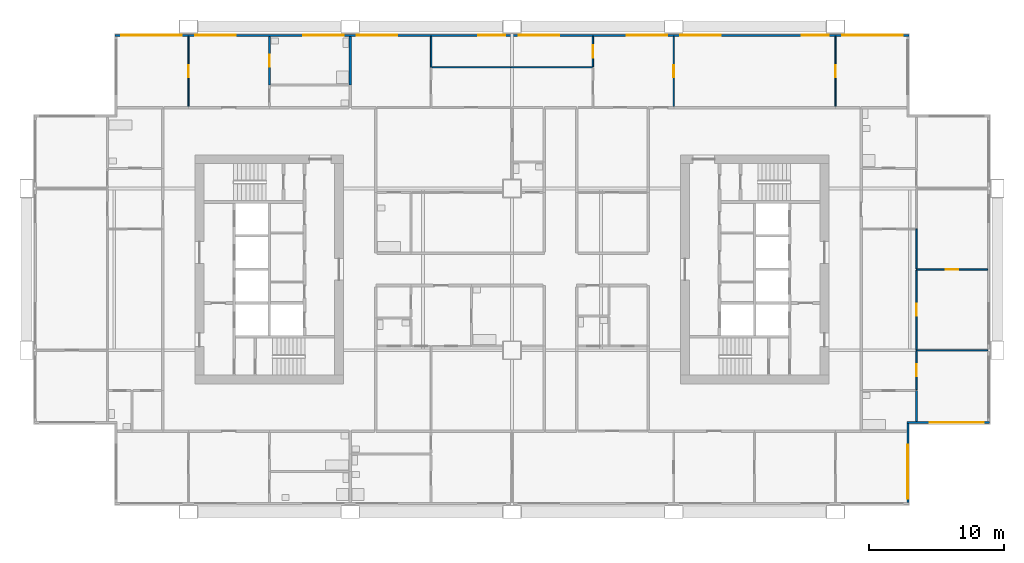
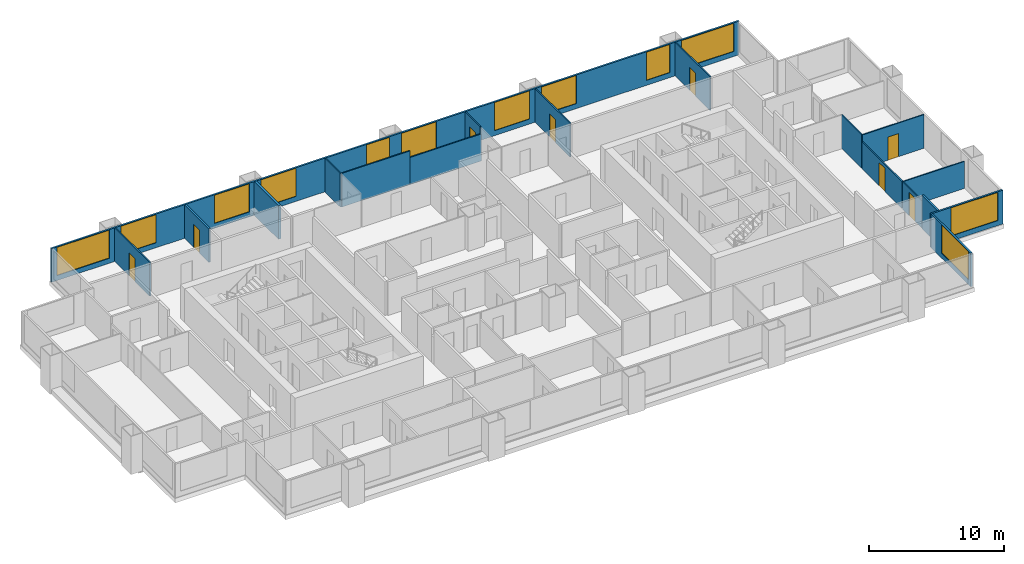
# One storey, part 8 of 11: 18 walls, 12 windows, 8 doors, 20 openings.
"""IFC4 building model written with IfcOpenShell, lengths in metres."""

from ifc_helpers import new_model, si_unit, direction, frame, frame_2d, origin, place, context, subcontext, project, spatial, rectangle, extrude, material, layer, layer_set, type_object, element, fill, save


model = new_model("IFC4")

# Units and contexts
model_context = context("Model", 3, precision=1e-05, world=origin(), true_north=direction((0.0, 1.0)))
body_context = subcontext(model_context, "Body", "Model", "MODEL_VIEW")
ifc_project = project(units=[si_unit("LENGTHUNIT", "METRE"), si_unit("AREAUNIT", "SQUARE_METRE"), si_unit("VOLUMEUNIT", "CUBIC_METRE"), si_unit("PLANEANGLEUNIT", "RADIAN"), si_unit("MASSUNIT", "GRAM", prefix="KILO")], contexts=[model_context])

# Site, building, storey
site_placement = place(None, origin())
site = spatial("IfcSite", under=ifc_project, at=site_placement, CompositionType="ELEMENT")
building_placement = place(site_placement, origin())
building = spatial("IfcBuilding", under=site, at=building_placement, Name="Kitamizu Gate Tower and Museum", CompositionType="ELEMENT")
storey_placement = place(building_placement, frame((0.0, 0.0, 138.0)))
storey = spatial("IfcBuildingStorey", under=building, at=storey_placement, Name="L36", CompositionType="ELEMENT", Elevation=138.0)

# Wall
ifc_material_1 = material(Name="Gypsum board on galvanised stud")
ifc_layer_1 = layer(ifc_material_1, 0.10009765625)
ifc_layer_set_1 = layer_set([ifc_layer_1], Name="Gypsum board on galvanised stud")
wall_type_1 = type_object("IfcWallType", Name="Partition 100 NOT RATED", PredefinedType="PARTITIONING", material=ifc_layer_set_1)
wall_1_placement = place(storey_placement, frame((71.280029296875, 24.0, 0.0), z_axis=(0.0, 0.0, 1.0), x_axis=(-1.0, 0.0, 0.0)))
element("IfcWall", 1, at=wall_1_placement, inside=storey, type_object=wall_type_1, Name="Partition L36-084", PredefinedType="PARTITIONING", context=body_context, shape_type="SweptSolid", body=[
    extrude(rectangle(XDim=5.280029296875, YDim=0.10009765625, at=frame_2d((2.64013671875, 0.0))), origin(), (0.0, 0.0, 1.0), 2.449951171875),
])

# Wall, opening, door
wall_2_placement = place(storey_placement, frame((66.0, 23.949951171875, 0.0), z_axis=(0.0, 0.0, 1.0), x_axis=(0.0, -1.0, 0.0)))
wall_2 = element("IfcWall", 2, at=wall_2_placement, inside=storey, type_object=wall_type_1, Name="Partition L36-086", PredefinedType="PARTITIONING", context=body_context, shape_type="SweptSolid", body=[
    extrude(rectangle(XDim=2.875, YDim=0.10009765625, at=frame_2d((1.4375, 0.0))), origin(), (0.0, 0.0, 1.0), 2.449951171875),
])
opening_1_placement = place(wall_2_placement, frame((0.987548828125, 0.0, 0.0)))
opening_1 = element("IfcOpeningElement", 3, at=opening_1_placement, cuts=wall_2, Name="Opening L36-032", PredefinedType="OPENING", context=body_context, shape_type="SweptSolid", body=[
    extrude(rectangle(XDim=0.89990234375, YDim=2.10009765625, at=frame_2d((0.449951171875, 1.050048828125))), frame((0.0, 0.06005859375, 0.0), z_axis=(0.0, -1.0, 0.0), x_axis=(1.0, 0.0, 0.0)), (0.0, 0.0, 1.0), 0.1201171875),
])
ifc_material_2 = material(Name="Timber door set", Category="wood")
door_type_1 = type_object("IfcDoorType", Name="Room door 900", OperationType="NOTDEFINED", PredefinedType="DOOR", material=ifc_material_2)
door_1_placement = place(opening_1_placement, origin())
door_1 = element("IfcDoor", 4, at=door_1_placement, inside=storey, type_object=door_type_1, Name="Door L36-032", OperationType="SINGLE_SWING_RIGHT", OverallHeight=2.10009765625, OverallWidth=0.89990234375, PredefinedType="DOOR", context=body_context, shape_type="SweptSolid", body=[
    extrude(rectangle(XDim=0.89990234375, YDim=2.10009765625, at=frame_2d((0.449951171875, 1.050048828125))), frame((0.0, 0.02490234375, 0.0), z_axis=(0.0, -1.0, 0.0), x_axis=(1.0, 0.0, 0.0)), (0.0, 0.0, 1.0), 0.050048828125),
])
fill(opening_1, door_1)

wall_3_placement = place(storey_placement, frame((71.280029296875, 30.0, 0.0), z_axis=(0.0, 0.0, 1.0), x_axis=(-1.0, 0.0, 0.0)))
wall_3 = element("IfcWall", 5, at=wall_3_placement, inside=storey, type_object=wall_type_1, Name="Partition L36-087", PredefinedType="PARTITIONING", context=body_context, shape_type="SweptSolid", body=[
    extrude(rectangle(XDim=5.280029296875, YDim=0.10009765625, at=frame_2d((2.64013671875, 0.0))), origin(), (0.0, 0.0, 1.0), 3.050048828125),
])
opening_2_placement = place(wall_3_placement, frame((2.18994140625, 0.0, 0.0)))
opening_2 = element("IfcOpeningElement", 6, at=opening_2_placement, cuts=wall_3, Name="Opening L36-035", PredefinedType="OPENING", context=body_context, shape_type="SweptSolid", body=[
    extrude(rectangle(XDim=0.89990234375, YDim=2.10009765625, at=frame_2d((0.449951171875, 1.050048828125))), frame((0.0, 0.06005859375, 0.0), z_axis=(0.0, -1.0, 0.0), x_axis=(1.0, 0.0, 0.0)), (0.0, 0.0, 1.0), 0.1201171875),
])
door_2_placement = place(opening_2_placement, origin())
door_2 = element("IfcDoor", 7, at=door_2_placement, inside=storey, type_object=door_type_1, Name="Door L36-035", OperationType="SINGLE_SWING_LEFT", OverallHeight=2.10009765625, OverallWidth=0.89990234375, PredefinedType="DOOR", context=body_context, shape_type="SweptSolid", body=[
    extrude(rectangle(XDim=0.89990234375, YDim=2.10009765625, at=frame_2d((0.449951171875, 1.050048828125))), frame((0.0, 0.02490234375, 0.0), z_axis=(0.0, -1.0, 0.0), x_axis=(1.0, 0.0, 0.0)), (0.0, 0.0, 1.0), 0.050048828125),
])
fill(opening_2, door_2)

wall_4_placement = place(storey_placement, frame((66.0, 29.949951171875, 0.0), z_axis=(0.0, 0.0, 1.0), x_axis=(0.0, -1.0, 0.0)))
wall_4 = element("IfcWall", 8, at=wall_4_placement, inside=storey, type_object=wall_type_1, Name="Partition L36-088", PredefinedType="PARTITIONING", context=body_context, shape_type="SweptSolid", body=[
    extrude(rectangle(XDim=5.89990234375, YDim=0.10009765625, at=frame_2d((2.949951171875, 0.0))), origin(), (0.0, 0.0, 1.0), 2.449951171875),
])
opening_3_placement = place(wall_4_placement, frame((2.5, 0.0, 0.0)))
opening_3 = element("IfcOpeningElement", 9, at=opening_3_placement, cuts=wall_4, Name="Opening L36-033", PredefinedType="OPENING", context=body_context, shape_type="SweptSolid", body=[
    extrude(rectangle(XDim=0.89990234375, YDim=2.10009765625, at=frame_2d((0.449951171875, 1.050048828125))), frame((0.0, 0.06005859375, 0.0), z_axis=(0.0, -1.0, 0.0), x_axis=(1.0, 0.0, 0.0)), (0.0, 0.0, 1.0), 0.1201171875),
])
door_3_placement = place(opening_3_placement, origin())
door_3 = element("IfcDoor", 10, at=door_3_placement, inside=storey, type_object=door_type_1, Name="Door L36-033", OperationType="SINGLE_SWING_LEFT", OverallHeight=2.10009765625, OverallWidth=0.89990234375, PredefinedType="DOOR", context=body_context, shape_type="SweptSolid", body=[
    extrude(rectangle(XDim=0.89990234375, YDim=2.10009765625, at=frame_2d((0.449951171875, 1.050048828125))), frame((0.0, 0.02490234375, 0.0), z_axis=(0.0, -1.0, 0.0), x_axis=(1.0, 0.0, 0.0)), (0.0, 0.0, 1.0), 0.050048828125),
])
fill(opening_3, door_3)

# Wall
wall_5_placement = place(storey_placement, frame((66.0, 33.0, 0.0), z_axis=(0.0, 0.0, 1.0), x_axis=(0.0, -1.0, 0.0)))
element("IfcWall", 11, at=wall_5_placement, inside=storey, type_object=wall_type_1, Name="Partition L36-090", PredefinedType="PARTITIONING", context=body_context, shape_type="SweptSolid", body=[
    extrude(rectangle(XDim=2.949951171875, YDim=0.10009765625, at=frame_2d((1.47509765625, 0.0))), origin(), (0.0, 0.0, 1.0), 3.050048828125),
])

# Wall, opening, door
wall_6_placement = place(storey_placement, frame((12.0, 42.10009765625, 0.0), z_axis=(0.0, 0.0, 1.0), x_axis=(0.0, 1.0, 0.0)))
wall_6 = element("IfcWall", 12, at=wall_6_placement, inside=storey, type_object=wall_type_1, Name="Partition L36-104", PredefinedType="PARTITIONING", context=body_context, shape_type="SweptSolid", body=[
    extrude(rectangle(XDim=5.179931640625, YDim=0.10009765625, at=frame_2d((2.58984375, 0.0))), origin(), (0.0, 0.0, 1.0), 3.050048828125),
])
opening_4_placement = place(wall_6_placement, frame((2.139892578125, 0.0, 0.0)))
opening_4 = element("IfcOpeningElement", 13, at=opening_4_placement, cuts=wall_6, Name="Opening L36-039", PredefinedType="OPENING", context=body_context, shape_type="SweptSolid", body=[
    extrude(rectangle(XDim=0.89990234375, YDim=2.10009765625, at=frame_2d((0.449951171875, 1.050048828125))), frame((0.0, 0.06005859375, 0.0), z_axis=(0.0, -1.0, 0.0), x_axis=(1.0, 0.0, 0.0)), (0.0, 0.0, 1.0), 0.1201171875),
])
door_4_placement = place(opening_4_placement, origin())
door_4 = element("IfcDoor", 14, at=door_4_placement, inside=storey, type_object=door_type_1, Name="Door L36-039", OperationType="SINGLE_SWING_RIGHT", OverallHeight=2.10009765625, OverallWidth=0.89990234375, PredefinedType="DOOR", context=body_context, shape_type="SweptSolid", body=[
    extrude(rectangle(XDim=0.89990234375, YDim=2.10009765625, at=frame_2d((0.449951171875, 1.050048828125))), frame((0.0, 0.02490234375, 0.0), z_axis=(0.0, -1.0, 0.0), x_axis=(1.0, 0.0, 0.0)), (0.0, 0.0, 1.0), 0.050048828125),
])
fill(opening_4, door_4)

# Walls
wall_7_placement = place(storey_placement, frame((30.0, 45.0, 0.0), z_axis=(0.0, 0.0, 1.0), x_axis=(0.0, 1.0, 0.0)))
element("IfcWall", 15, at=wall_7_placement, inside=storey, type_object=wall_type_1, Name="Partition L36-114", PredefinedType="PARTITIONING", context=body_context, shape_type="SweptSolid", body=[
    extrude(rectangle(XDim=2.280029296875, YDim=0.10009765625, at=frame_2d((1.14013671875, 0.0))), origin(), (0.0, 0.0, 1.0), 3.050048828125),
])
wall_8_placement = place(storey_placement, frame((42.0, 45.0, 0.0), z_axis=(0.0, 0.0, 1.0), x_axis=(-1.0, 0.0, 0.0)))
element("IfcWall", 16, at=wall_8_placement, inside=storey, type_object=wall_type_1, Name="Partition L36-117", PredefinedType="PARTITIONING", context=body_context, shape_type="SweptSolid", body=[
    extrude(rectangle(XDim=6.10009765625, YDim=0.10009765625, at=frame_2d((3.050048828125, 0.0))), origin(), (0.0, 0.0, 1.0), 2.449951171875),
])
wall_9_placement = place(storey_placement, frame((35.89990234375, 45.0, 0.0), z_axis=(0.0, 0.0, 1.0), x_axis=(-1.0, 0.0, 0.0)))
element("IfcWall", 17, at=wall_9_placement, inside=storey, type_object=wall_type_1, Name="Partition L36-118", PredefinedType="PARTITIONING", context=body_context, shape_type="SweptSolid", body=[
    extrude(rectangle(XDim=5.849853515625, YDim=0.10009765625, at=frame_2d((2.9248046875, 0.0))), origin(), (0.0, 0.0, 1.0), 3.050048828125),
])

# Wall, opening, door
wall_10_placement = place(storey_placement, frame((42.0, 45.050048828125, 0.0), z_axis=(0.0, 0.0, 1.0), x_axis=(0.0, 1.0, 0.0)))
wall_10 = element("IfcWall", 18, at=wall_10_placement, inside=storey, type_object=wall_type_1, Name="Partition L36-124", PredefinedType="PARTITIONING", context=body_context, shape_type="SweptSolid", body=[
    extrude(rectangle(XDim=2.22998046875, YDim=0.10009765625, at=frame_2d((1.114990234375, 0.0))), origin(), (0.0, 0.0, 1.0), 3.050048828125),
])
opening_5_placement = place(wall_10_placement, frame((0.6650390625, 0.0, 0.0)))
opening_5 = element("IfcOpeningElement", 19, at=opening_5_placement, cuts=wall_10, Name="Opening L36-045", PredefinedType="OPENING", context=body_context, shape_type="SweptSolid", body=[
    extrude(rectangle(XDim=0.89990234375, YDim=2.10009765625, at=frame_2d((0.449951171875, 1.050048828125))), frame((0.0, 0.06005859375, 0.0), z_axis=(0.0, -1.0, 0.0), x_axis=(1.0, 0.0, 0.0)), (0.0, 0.0, 1.0), 0.1201171875),
])
door_5_placement = place(opening_5_placement, origin())
door_5 = element("IfcDoor", 20, at=door_5_placement, inside=storey, type_object=door_type_1, Name="Door L36-045", OperationType="SINGLE_SWING_LEFT", OverallHeight=2.10009765625, OverallWidth=0.89990234375, PredefinedType="DOOR", context=body_context, shape_type="SweptSolid", body=[
    extrude(rectangle(XDim=0.89990234375, YDim=2.10009765625, at=frame_2d((0.449951171875, 1.050048828125))), frame((0.0, 0.02490234375, 0.0), z_axis=(0.0, -1.0, 0.0), x_axis=(1.0, 0.0, 0.0)), (0.0, 0.0, 1.0), 0.050048828125),
])
fill(opening_5, door_5)

wall_11_placement = place(storey_placement, frame((48.0, 42.10009765625, 0.0), z_axis=(0.0, 0.0, 1.0), x_axis=(0.0, 1.0, 0.0)))
wall_11 = element("IfcWall", 21, at=wall_11_placement, inside=storey, type_object=wall_type_1, Name="Partition L36-125", PredefinedType="PARTITIONING", context=body_context, shape_type="SweptSolid", body=[
    extrude(rectangle(XDim=5.179931640625, YDim=0.10009765625, at=frame_2d((2.58984375, 0.0))), origin(), (0.0, 0.0, 1.0), 3.050048828125),
])
opening_6_placement = place(wall_11_placement, frame((2.139892578125, 0.0, 0.0)))
opening_6 = element("IfcOpeningElement", 22, at=opening_6_placement, cuts=wall_11, Name="Opening L36-043", PredefinedType="OPENING", context=body_context, shape_type="SweptSolid", body=[
    extrude(rectangle(XDim=0.89990234375, YDim=2.10009765625, at=frame_2d((0.449951171875, 1.050048828125))), frame((0.0, 0.06005859375, 0.0), z_axis=(0.0, -1.0, 0.0), x_axis=(1.0, 0.0, 0.0)), (0.0, 0.0, 1.0), 0.1201171875),
])
door_6_placement = place(opening_6_placement, frame((0.89990234375, 0.0, 0.0), x_axis=(-1.0, 0.0, 0.0)))
door_6 = element("IfcDoor", 23, at=door_6_placement, inside=storey, type_object=door_type_1, Name="Door L36-043", OperationType="SINGLE_SWING_RIGHT", OverallHeight=2.10009765625, OverallWidth=0.89990234375, PredefinedType="DOOR", context=body_context, shape_type="SweptSolid", body=[
    extrude(rectangle(XDim=0.89990234375, YDim=2.10009765625, at=frame_2d((0.449951171875, 1.050048828125))), frame((0.0, 0.02490234375, 0.0), z_axis=(0.0, -1.0, 0.0), x_axis=(1.0, 0.0, 0.0)), (0.0, 0.0, 1.0), 0.050048828125),
])
fill(opening_6, door_6)

wall_12_placement = place(storey_placement, frame((60.0, 42.10009765625, 0.0), z_axis=(0.0, 0.0, 1.0), x_axis=(0.0, 1.0, 0.0)))
wall_12 = element("IfcWall", 24, at=wall_12_placement, inside=storey, type_object=wall_type_1, Name="Partition L36-128", PredefinedType="PARTITIONING", context=body_context, shape_type="SweptSolid", body=[
    extrude(rectangle(XDim=5.179931640625, YDim=0.10009765625, at=frame_2d((2.58984375, 0.0))), origin(), (0.0, 0.0, 1.0), 3.050048828125),
])
opening_7_placement = place(wall_12_placement, frame((2.139892578125, 0.0, 0.0)))
opening_7 = element("IfcOpeningElement", 25, at=opening_7_placement, cuts=wall_12, Name="Opening L36-046", PredefinedType="OPENING", context=body_context, shape_type="SweptSolid", body=[
    extrude(rectangle(XDim=0.89990234375, YDim=2.10009765625, at=frame_2d((0.449951171875, 1.050048828125))), frame((0.0, 0.06005859375, 0.0), z_axis=(0.0, -1.0, 0.0), x_axis=(1.0, 0.0, 0.0)), (0.0, 0.0, 1.0), 0.1201171875),
])
door_7_placement = place(opening_7_placement, frame((0.89990234375, 0.0, 0.0), x_axis=(-1.0, 0.0, 0.0)))
door_7 = element("IfcDoor", 26, at=door_7_placement, inside=storey, type_object=door_type_1, Name="Door L36-046", OperationType="SINGLE_SWING_LEFT", OverallHeight=2.10009765625, OverallWidth=0.89990234375, PredefinedType="DOOR", context=body_context, shape_type="SweptSolid", body=[
    extrude(rectangle(XDim=0.89990234375, YDim=2.10009765625, at=frame_2d((0.449951171875, 1.050048828125))), frame((0.0, 0.02490234375, 0.0), z_axis=(0.0, -1.0, 0.0), x_axis=(1.0, 0.0, 0.0)), (0.0, 0.0, 1.0), 0.050048828125),
])
fill(opening_7, door_7)

# Wall
ifc_material_3 = material(Name="Gypsum board on galvanised stud")
ifc_layer_2 = layer(ifc_material_3, 0.14990234375)
ifc_layer_set_2 = layer_set([ifc_layer_2], Name="Gypsum board on galvanised stud")
wall_type_2 = type_object("IfcWallType", Name="Partition 150", PredefinedType="PARTITIONING", material=ifc_layer_set_2)
wall_13_placement = place(storey_placement, frame((66.0, 21.0, 0.0), z_axis=(0.0, 0.0, 1.0), x_axis=(0.0, -1.0, 0.0)))
element("IfcWall", 27, at=wall_13_placement, inside=storey, type_object=wall_type_2, Name="Partition L36-085", PredefinedType="PARTITIONING", context=body_context, shape_type="SweptSolid", body=[
    extrude(rectangle(XDim=2.280029296875, YDim=0.14990234375, at=frame_2d((1.14013671875, 0.0))), origin(), (0.0, 0.0, 1.0), 3.050048828125),
])

# Wall, opening, door
wall_14_placement = place(storey_placement, frame((18.0, 43.679931640625, 0.0), z_axis=(0.0, 0.0, 1.0), x_axis=(0.0, 1.0, 0.0)))
wall_14 = element("IfcWall", 28, at=wall_14_placement, inside=storey, type_object=wall_type_2, Name="Partition L36-106", PredefinedType="PARTITIONING", context=body_context, shape_type="SweptSolid", body=[
    extrude(rectangle(XDim=3.60009765625, YDim=0.14990234375, at=frame_2d((1.800048828125, 0.0))), origin(), (0.0, 0.0, 1.0), 3.050048828125),
])
opening_8_placement = place(wall_14_placement, frame((1.35009765625, 0.0, 0.0)))
opening_8 = element("IfcOpeningElement", 29, at=opening_8_placement, cuts=wall_14, Name="Opening L36-040", PredefinedType="OPENING", context=body_context, shape_type="SweptSolid", body=[
    extrude(rectangle(XDim=0.89990234375, YDim=2.10009765625, at=frame_2d((0.449951171875, 1.050048828125))), frame((0.0, 0.0849609375, 0.0), z_axis=(0.0, -1.0, 0.0), x_axis=(1.0, 0.0, 0.0)), (0.0, 0.0, 1.0), 0.169921875),
])
ifc_material_4 = material(Name="Timber door set", Category="wood")
door_type_2 = type_object("IfcDoorType", Name="Bathroom door 900", OperationType="NOTDEFINED", PredefinedType="DOOR", material=ifc_material_4)
door_8_placement = place(opening_8_placement, frame((0.89990234375, 0.0, 0.0), x_axis=(-1.0, 0.0, 0.0)))
door_8 = element("IfcDoor", 30, at=door_8_placement, inside=storey, type_object=door_type_2, Name="Bathroom door L36-040", OperationType="SINGLE_SWING_RIGHT", OverallHeight=2.10009765625, OverallWidth=0.89990234375, PredefinedType="DOOR", context=body_context, shape_type="SweptSolid", body=[
    extrude(rectangle(XDim=0.89990234375, YDim=2.10009765625, at=frame_2d((0.449951171875, 1.050048828125))), frame((0.0, 0.02490234375, 0.0), z_axis=(0.0, -1.0, 0.0), x_axis=(1.0, 0.0, 0.0)), (0.0, 0.0, 1.0), 0.050048828125),
])
fill(opening_8, door_8)

# Wall
ifc_material_5 = material(Name="Gypsum board on galvanised stud")
ifc_layer_3 = layer(ifc_material_5, 0.199951171875)
ifc_layer_set_3 = layer_set([ifc_layer_3], Name="Gypsum board on galvanised stud")
wall_type_3 = type_object("IfcWallType", Name="Partition 200", PredefinedType="PARTITIONING", material=ifc_layer_set_3)
wall_15_placement = place(storey_placement, frame((24.0, 43.679931640625, 0.0), z_axis=(0.0, 0.0, 1.0), x_axis=(0.0, 1.0, 0.0)))
element("IfcWall", 31, at=wall_15_placement, inside=storey, type_object=wall_type_3, Name="Partition L36-110", PredefinedType="PARTITIONING", context=body_context, shape_type="SweptSolid", body=[
    extrude(rectangle(XDim=3.60009765625, YDim=0.199951171875, at=frame_2d((1.800048828125, 0.0))), origin(), (0.0, 0.0, 1.0), 3.050048828125),
])

# Wall, opening, window
ifc_material_6 = material(Name="Bronze anodised aluminium frame with insulated spandrel and tinted glass", Category="aluminium")
ifc_layer_4 = layer(ifc_material_6, 0.14990234375)
ifc_layer_set_4 = layer_set([ifc_layer_4], Name="Bronze anodised aluminium frame with insulated spandrel and tinted glass")
wall_type_4 = type_object("IfcWallType", Name="WINDOW WALL 150 BRONZE FRAME EI 30", PredefinedType="ELEMENTEDWALL", material=ifc_layer_set_4)
wall_16_placement = place(storey_placement, frame((65.364990234375, 12.7099609375, 0.0), z_axis=(0.0, 0.0, 1.0), x_axis=(0.0, 1.0, 0.0)))
wall_16 = element("IfcWall", 32, at=wall_16_placement, inside=storey, type_object=wall_type_4, Name="Window wall east L36", PredefinedType="ELEMENTEDWALL", context=body_context, shape_type="SweptSolid", body=[
    extrude(rectangle(XDim=5.85009765625, YDim=0.14990234375, at=frame_2d((2.925048828125, 0.0))), origin(), (0.0, 0.0, 1.0), 3.050048828125),
])
opening_9_placement = place(wall_16_placement, frame((0.2900390625, 0.0, 0.449951171875)))
opening_9 = element("IfcOpeningElement", 33, at=opening_9_placement, cuts=wall_16, Name="Opening W16", PredefinedType="OPENING", context=body_context, shape_type="SweptSolid", body=[
    extrude(rectangle(XDim=4.0, YDim=2.550048828125, at=frame_2d((2.0, 1.27490234375))), frame((0.0, 0.0849609375, 0.0), z_axis=(0.0, -1.0, 0.0), x_axis=(1.0, 0.0, 0.0)), (0.0, 0.0, 1.0), 0.169921875),
])
ifc_material_7 = material(Name="Bronze anodised aluminium frame, tinted triple glazing", Category="aluminium")
window_type_1 = type_object("IfcWindowType", Name="WINDOW 4000 x 2550 SILL 450", PartitioningType="SINGLE_PANEL", PredefinedType="WINDOW", material=ifc_material_7)
window_1_placement = place(opening_9_placement, origin())
window_1 = element("IfcWindow", 34, at=window_1_placement, inside=storey, type_object=window_type_1, Name="Window W16 L36", OverallHeight=2.550048828125, OverallWidth=4.0, PartitioningType="SINGLE_PANEL", PredefinedType="WINDOW", context=body_context, shape_type="SweptSolid", body=[
    extrude(rectangle(XDim=4.0, YDim=2.550048828125, at=frame_2d((2.0, 1.27490234375))), frame((0.0, 0.030029296875, 0.0), z_axis=(0.0, -1.0, 0.0), x_axis=(1.0, 0.0, 0.0)), (0.0, 0.0, 1.0), 0.06005859375),
])
fill(opening_9, window_1)

wall_17_placement = place(storey_placement, frame((65.2900390625, 18.635009765625, 0.0), z_axis=(0.0, 0.0, 1.0), x_axis=(1.0, 0.0, 0.0)))
wall_17 = element("IfcWall", 35, at=wall_17_placement, inside=storey, type_object=wall_type_4, Name="Window wall south L36", PredefinedType="ELEMENTEDWALL", context=body_context, shape_type="SweptSolid", body=[
    extrude(rectangle(XDim=6.14990234375, YDim=0.14990234375, at=frame_2d((3.074951171875, 0.0))), origin(), (0.0, 0.0, 1.0), 3.050048828125),
])
opening_10_placement = place(wall_17_placement, frame((1.7099609375, 0.0, 0.449951171875)))
opening_10 = element("IfcOpeningElement", 36, at=opening_10_placement, cuts=wall_17, Name="Opening W16", PredefinedType="OPENING", context=body_context, shape_type="SweptSolid", body=[
    extrude(rectangle(XDim=4.0, YDim=2.550048828125, at=frame_2d((2.0, 1.27490234375))), frame((0.0, 0.0849609375, 0.0), z_axis=(0.0, -1.0, 0.0), x_axis=(1.0, 0.0, 0.0)), (0.0, 0.0, 1.0), 0.169921875),
])
window_2_placement = place(opening_10_placement, origin())
window_2 = element("IfcWindow", 37, at=window_2_placement, inside=storey, type_object=window_type_1, Name="Window W16 L36", OverallHeight=2.550048828125, OverallWidth=4.0, PartitioningType="SINGLE_PANEL", PredefinedType="WINDOW", context=body_context, shape_type="SweptSolid", body=[
    extrude(rectangle(XDim=4.0, YDim=2.550048828125, at=frame_2d((2.0, 1.27490234375))), frame((0.0, 0.030029296875, 0.0), z_axis=(0.0, -1.0, 0.0), x_axis=(1.0, 0.0, 0.0)), (0.0, 0.0, 1.0), 0.06005859375),
])
fill(opening_10, window_2)

# Wall, openings, windows
wall_18_placement = place(storey_placement, frame((6.56005859375, 47.364990234375, 0.0), z_axis=(0.0, 0.0, 1.0), x_axis=(1.0, 0.0, 0.0)))
wall_18 = element("IfcWall", 38, at=wall_18_placement, inside=storey, type_object=wall_type_4, Name="Window wall north L36", PredefinedType="ELEMENTEDWALL", context=body_context, shape_type="SweptSolid", body=[
    extrude(rectangle(XDim=58.8798828125, YDim=0.14990234375, at=frame_2d((29.43994140625, 0.0))), origin(), (0.0, 0.0, 1.0), 3.050048828125),
])
opening_11_placement = place(wall_18_placement, frame((0.43994140625, 0.0, 0.449951171875)))
opening_11 = element("IfcOpeningElement", 39, at=opening_11_placement, cuts=wall_18, Name="Opening W15", PredefinedType="OPENING", context=body_context, shape_type="SweptSolid", body=[
    extrude(rectangle(XDim=4.5, YDim=2.550048828125, at=frame_2d((2.25, 1.27490234375))), frame((0.0, 0.0849609375, 0.0), z_axis=(0.0, -1.0, 0.0), x_axis=(1.0, 0.0, 0.0)), (0.0, 0.0, 1.0), 0.169921875),
])
opening_12_placement = place(wall_18_placement, frame((5.93994140625, 0.0, 0.449951171875)))
opening_12 = element("IfcOpeningElement", 40, at=opening_12_placement, cuts=wall_18, Name="Opening W33", PredefinedType="OPENING", context=body_context, shape_type="SweptSolid", body=[
    extrude(rectangle(XDim=3.0, YDim=2.550048828125, at=frame_2d((1.5, 1.27490234375))), frame((0.0, 0.0849609375, 0.0), z_axis=(0.0, -1.0, 0.0), x_axis=(1.0, 0.0, 0.0)), (0.0, 0.0, 1.0), 0.169921875),
])
opening_13_placement = place(wall_18_placement, frame((13.93994140625, 0.0, 0.449951171875)))
opening_13 = element("IfcOpeningElement", 41, at=opening_13_placement, cuts=wall_18, Name="Opening W33", PredefinedType="OPENING", context=body_context, shape_type="SweptSolid", body=[
    extrude(rectangle(XDim=3.0, YDim=2.550048828125, at=frame_2d((1.5, 1.27490234375))), frame((0.0, 0.0849609375, 0.0), z_axis=(0.0, -1.0, 0.0), x_axis=(1.0, 0.0, 0.0)), (0.0, 0.0, 1.0), 0.169921875),
])
opening_14_placement = place(wall_18_placement, frame((17.93994140625, 0.0, 0.449951171875)))
opening_14 = element("IfcOpeningElement", 42, at=opening_14_placement, cuts=wall_18, Name="Opening W33", PredefinedType="OPENING", context=body_context, shape_type="SweptSolid", body=[
    extrude(rectangle(XDim=3.0, YDim=2.550048828125, at=frame_2d((1.5, 1.27490234375))), frame((0.0, 0.0849609375, 0.0), z_axis=(0.0, -1.0, 0.0), x_axis=(1.0, 0.0, 0.0)), (0.0, 0.0, 1.0), 0.169921875),
])
opening_15_placement = place(wall_18_placement, frame((26.93994140625, 0.0, 0.449951171875)))
opening_15 = element("IfcOpeningElement", 43, at=opening_15_placement, cuts=wall_18, Name="Opening W2", PredefinedType="OPENING", context=body_context, shape_type="SweptSolid", body=[
    extrude(rectangle(XDim=2.0, YDim=2.550048828125, at=frame_2d((1.0, 1.27490234375))), frame((0.0, 0.0849609375, 0.0), z_axis=(0.0, -1.0, 0.0), x_axis=(1.0, 0.0, 0.0)), (0.0, 0.0, 1.0), 0.169921875),
])
opening_16_placement = place(wall_18_placement, frame((29.93994140625, 0.0, 0.449951171875)))
opening_16 = element("IfcOpeningElement", 44, at=opening_16_placement, cuts=wall_18, Name="Opening W33", PredefinedType="OPENING", context=body_context, shape_type="SweptSolid", body=[
    extrude(rectangle(XDim=3.0, YDim=2.550048828125, at=frame_2d((1.5, 1.27490234375))), frame((0.0, 0.0849609375, 0.0), z_axis=(0.0, -1.0, 0.0), x_axis=(1.0, 0.0, 0.0)), (0.0, 0.0, 1.0), 0.169921875),
])
opening_17_placement = place(wall_18_placement, frame((37.93994140625, 0.0, 0.449951171875)))
opening_17 = element("IfcOpeningElement", 45, at=opening_17_placement, cuts=wall_18, Name="Opening W33", PredefinedType="OPENING", context=body_context, shape_type="SweptSolid", body=[
    extrude(rectangle(XDim=3.0, YDim=2.550048828125, at=frame_2d((1.5, 1.27490234375))), frame((0.0, 0.0849609375, 0.0), z_axis=(0.0, -1.0, 0.0), x_axis=(1.0, 0.0, 0.0)), (0.0, 0.0, 1.0), 0.169921875),
])
opening_18_placement = place(wall_18_placement, frame((41.93994140625, 0.0, 0.449951171875)))
opening_18 = element("IfcOpeningElement", 46, at=opening_18_placement, cuts=wall_18, Name="Opening W33", PredefinedType="OPENING", context=body_context, shape_type="SweptSolid", body=[
    extrude(rectangle(XDim=3.0, YDim=2.550048828125, at=frame_2d((1.5, 1.27490234375))), frame((0.0, 0.0849609375, 0.0), z_axis=(0.0, -1.0, 0.0), x_axis=(1.0, 0.0, 0.0)), (0.0, 0.0, 1.0), 0.169921875),
])
opening_19_placement = place(wall_18_placement, frame((50.93994140625, 0.0, 0.449951171875)))
opening_19 = element("IfcOpeningElement", 47, at=opening_19_placement, cuts=wall_18, Name="Opening W2", PredefinedType="OPENING", context=body_context, shape_type="SweptSolid", body=[
    extrude(rectangle(XDim=2.0, YDim=2.550048828125, at=frame_2d((1.0, 1.27490234375))), frame((0.0, 0.0849609375, 0.0), z_axis=(0.0, -1.0, 0.0), x_axis=(1.0, 0.0, 0.0)), (0.0, 0.0, 1.0), 0.169921875),
])
opening_20_placement = place(wall_18_placement, frame((53.93994140625, 0.0, 0.449951171875)))
opening_20 = element("IfcOpeningElement", 48, at=opening_20_placement, cuts=wall_18, Name="Opening W15", PredefinedType="OPENING", context=body_context, shape_type="SweptSolid", body=[
    extrude(rectangle(XDim=4.5, YDim=2.550048828125, at=frame_2d((2.25, 1.27490234375))), frame((0.0, 0.0849609375, 0.0), z_axis=(0.0, -1.0, 0.0), x_axis=(1.0, 0.0, 0.0)), (0.0, 0.0, 1.0), 0.169921875),
])
ifc_material_8 = material(Name="Bronze anodised aluminium frame, tinted triple glazing", Category="aluminium")
window_type_2 = type_object("IfcWindowType", Name="WINDOW 2000 x 2550 SILL 450", PartitioningType="SINGLE_PANEL", PredefinedType="WINDOW", material=ifc_material_8)
window_3_placement = place(opening_15_placement, origin())
window_3 = element("IfcWindow", 49, at=window_3_placement, inside=storey, type_object=window_type_2, Name="Window W2 L36", OverallHeight=2.550048828125, OverallWidth=2.0, PartitioningType="SINGLE_PANEL", PredefinedType="WINDOW", context=body_context, shape_type="SweptSolid", body=[
    extrude(rectangle(XDim=2.0, YDim=2.550048828125, at=frame_2d((1.0, 1.27490234375))), frame((0.0, 0.030029296875, 0.0), z_axis=(0.0, -1.0, 0.0), x_axis=(1.0, 0.0, 0.0)), (0.0, 0.0, 1.0), 0.06005859375),
])
fill(opening_15, window_3)
window_4_placement = place(opening_19_placement, origin())
window_4 = element("IfcWindow", 50, at=window_4_placement, inside=storey, type_object=window_type_2, Name="Window W2 L36", OverallHeight=2.550048828125, OverallWidth=2.0, PartitioningType="SINGLE_PANEL", PredefinedType="WINDOW", context=body_context, shape_type="SweptSolid", body=[
    extrude(rectangle(XDim=2.0, YDim=2.550048828125, at=frame_2d((1.0, 1.27490234375))), frame((0.0, 0.030029296875, 0.0), z_axis=(0.0, -1.0, 0.0), x_axis=(1.0, 0.0, 0.0)), (0.0, 0.0, 1.0), 0.06005859375),
])
fill(opening_19, window_4)
ifc_material_9 = material(Name="Bronze anodised aluminium frame, tinted triple glazing", Category="aluminium")
window_type_3 = type_object("IfcWindowType", Name="WINDOW 3000 x 2550 SILL 450", PartitioningType="SINGLE_PANEL", PredefinedType="WINDOW", material=ifc_material_9)
window_5_placement = place(opening_12_placement, origin())
window_5 = element("IfcWindow", 51, at=window_5_placement, inside=storey, type_object=window_type_3, Name="Window W33 L36", OverallHeight=2.550048828125, OverallWidth=3.0, PartitioningType="SINGLE_PANEL", PredefinedType="WINDOW", context=body_context, shape_type="SweptSolid", body=[
    extrude(rectangle(XDim=3.0, YDim=2.550048828125, at=frame_2d((1.5, 1.27490234375))), frame((0.0, 0.030029296875, 0.0), z_axis=(0.0, -1.0, 0.0), x_axis=(1.0, 0.0, 0.0)), (0.0, 0.0, 1.0), 0.06005859375),
])
fill(opening_12, window_5)
window_6_placement = place(opening_13_placement, origin())
window_6 = element("IfcWindow", 52, at=window_6_placement, inside=storey, type_object=window_type_3, Name="Window W33 L36", OverallHeight=2.550048828125, OverallWidth=3.0, PartitioningType="SINGLE_PANEL", PredefinedType="WINDOW", context=body_context, shape_type="SweptSolid", body=[
    extrude(rectangle(XDim=3.0, YDim=2.550048828125, at=frame_2d((1.5, 1.27490234375))), frame((0.0, 0.030029296875, 0.0), z_axis=(0.0, -1.0, 0.0), x_axis=(1.0, 0.0, 0.0)), (0.0, 0.0, 1.0), 0.06005859375),
])
fill(opening_13, window_6)
window_7_placement = place(opening_14_placement, origin())
window_7 = element("IfcWindow", 53, at=window_7_placement, inside=storey, type_object=window_type_3, Name="Window W33 L36", OverallHeight=2.550048828125, OverallWidth=3.0, PartitioningType="SINGLE_PANEL", PredefinedType="WINDOW", context=body_context, shape_type="SweptSolid", body=[
    extrude(rectangle(XDim=3.0, YDim=2.550048828125, at=frame_2d((1.5, 1.27490234375))), frame((0.0, 0.030029296875, 0.0), z_axis=(0.0, -1.0, 0.0), x_axis=(1.0, 0.0, 0.0)), (0.0, 0.0, 1.0), 0.06005859375),
])
fill(opening_14, window_7)
window_8_placement = place(opening_16_placement, origin())
window_8 = element("IfcWindow", 54, at=window_8_placement, inside=storey, type_object=window_type_3, Name="Window W33 L36", OverallHeight=2.550048828125, OverallWidth=3.0, PartitioningType="SINGLE_PANEL", PredefinedType="WINDOW", context=body_context, shape_type="SweptSolid", body=[
    extrude(rectangle(XDim=3.0, YDim=2.550048828125, at=frame_2d((1.5, 1.27490234375))), frame((0.0, 0.030029296875, 0.0), z_axis=(0.0, -1.0, 0.0), x_axis=(1.0, 0.0, 0.0)), (0.0, 0.0, 1.0), 0.06005859375),
])
fill(opening_16, window_8)
window_9_placement = place(opening_17_placement, origin())
window_9 = element("IfcWindow", 55, at=window_9_placement, inside=storey, type_object=window_type_3, Name="Window W33 L36", OverallHeight=2.550048828125, OverallWidth=3.0, PartitioningType="SINGLE_PANEL", PredefinedType="WINDOW", context=body_context, shape_type="SweptSolid", body=[
    extrude(rectangle(XDim=3.0, YDim=2.550048828125, at=frame_2d((1.5, 1.27490234375))), frame((0.0, 0.030029296875, 0.0), z_axis=(0.0, -1.0, 0.0), x_axis=(1.0, 0.0, 0.0)), (0.0, 0.0, 1.0), 0.06005859375),
])
fill(opening_17, window_9)
window_10_placement = place(opening_18_placement, origin())
window_10 = element("IfcWindow", 56, at=window_10_placement, inside=storey, type_object=window_type_3, Name="Window W33 L36", OverallHeight=2.550048828125, OverallWidth=3.0, PartitioningType="SINGLE_PANEL", PredefinedType="WINDOW", context=body_context, shape_type="SweptSolid", body=[
    extrude(rectangle(XDim=3.0, YDim=2.550048828125, at=frame_2d((1.5, 1.27490234375))), frame((0.0, 0.030029296875, 0.0), z_axis=(0.0, -1.0, 0.0), x_axis=(1.0, 0.0, 0.0)), (0.0, 0.0, 1.0), 0.06005859375),
])
fill(opening_18, window_10)
ifc_material_10 = material(Name="Bronze anodised aluminium frame, tinted triple glazing", Category="aluminium")
window_type_4 = type_object("IfcWindowType", Name="WINDOW 4500 x 2550 SILL 450", PartitioningType="SINGLE_PANEL", PredefinedType="WINDOW", material=ifc_material_10)
window_11_placement = place(opening_11_placement, origin())
window_11 = element("IfcWindow", 57, at=window_11_placement, inside=storey, type_object=window_type_4, Name="Window W15 L36", OverallHeight=2.550048828125, OverallWidth=4.5, PartitioningType="SINGLE_PANEL", PredefinedType="WINDOW", context=body_context, shape_type="SweptSolid", body=[
    extrude(rectangle(XDim=4.5, YDim=2.550048828125, at=frame_2d((2.25, 1.27490234375))), frame((0.0, 0.030029296875, 0.0), z_axis=(0.0, -1.0, 0.0), x_axis=(1.0, 0.0, 0.0)), (0.0, 0.0, 1.0), 0.06005859375),
])
fill(opening_11, window_11)
window_12_placement = place(opening_20_placement, origin())
window_12 = element("IfcWindow", 58, at=window_12_placement, inside=storey, type_object=window_type_4, Name="Window W15 L36", OverallHeight=2.550048828125, OverallWidth=4.5, PartitioningType="SINGLE_PANEL", PredefinedType="WINDOW", context=body_context, shape_type="SweptSolid", body=[
    extrude(rectangle(XDim=4.5, YDim=2.550048828125, at=frame_2d((2.25, 1.27490234375))), frame((0.0, 0.030029296875, 0.0), z_axis=(0.0, -1.0, 0.0), x_axis=(1.0, 0.0, 0.0)), (0.0, 0.0, 1.0), 0.06005859375),
])
fill(opening_20, window_12)

save(model, "model.ifc")
